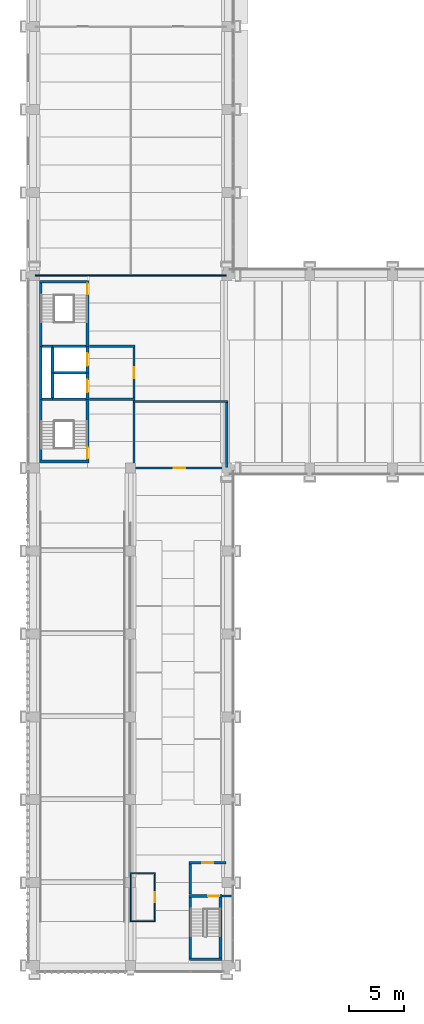
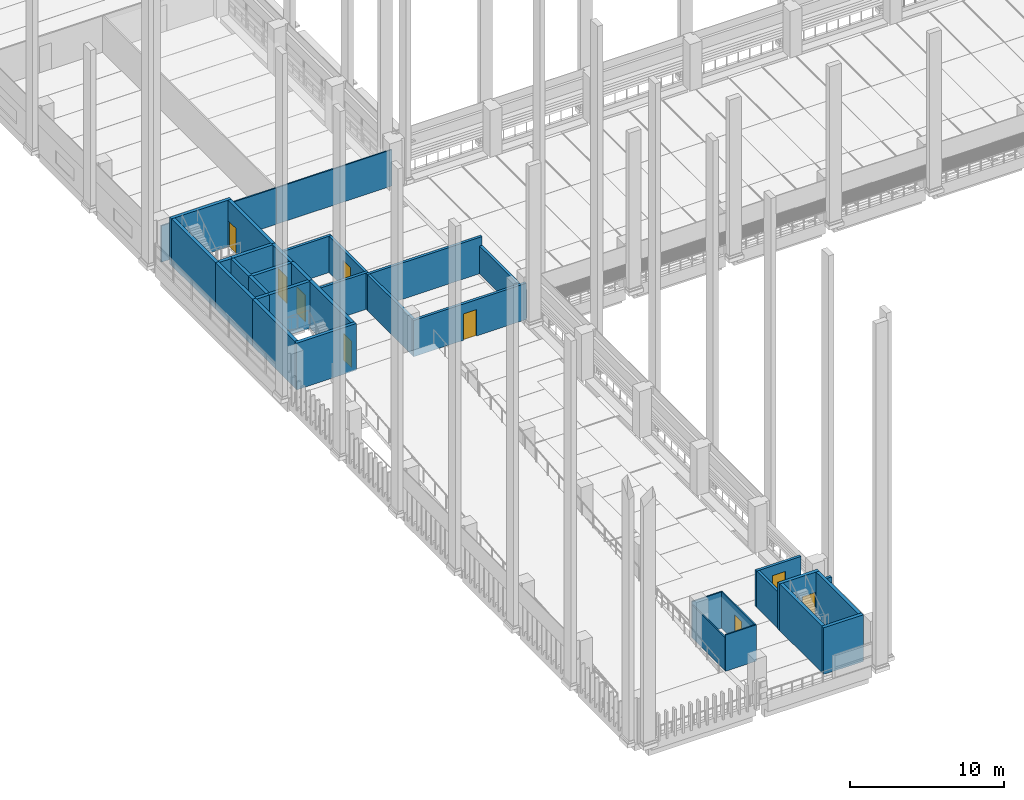
# One storey, part 35 of 67: 36 walls, 9 doors, 9 openings.
"""IFC4 building model written with IfcOpenShell, lengths in metres."""

from ifc_helpers import new_model, si_unit, direction, frame, frame_2d, origin, place, context, subcontext, project, spatial, rectangle, extrude, material, layer, layer_set, type_object, element, fill, save


model = new_model("IFC4")

# Units and contexts
model_context = context("Model", 3, precision=1e-05, world=origin(), true_north=direction((0.0, 1.0)))
body_context = subcontext(model_context, "Body", "Model", "MODEL_VIEW")
ifc_project = project(units=[si_unit("LENGTHUNIT", "METRE"), si_unit("AREAUNIT", "SQUARE_METRE"), si_unit("VOLUMEUNIT", "CUBIC_METRE"), si_unit("PLANEANGLEUNIT", "RADIAN"), si_unit("MASSUNIT", "GRAM", prefix="KILO")], contexts=[model_context])

# Site, building, storey
site_placement = place(None, origin())
site = spatial("IfcSite", under=ifc_project, at=site_placement, CompositionType="ELEMENT")
building_placement = place(site_placement, origin())
building = spatial("IfcBuilding", under=site, at=building_placement, Name="Cour d'Honneur Mobility Palace", CompositionType="ELEMENT")
storey_placement = place(building_placement, frame((0.0, 0.0, 4.5)))
storey = spatial("IfcBuildingStorey", under=building, at=storey_placement, Name="L01", CompositionType="ELEMENT", Elevation=4.5)

# Walls
ifc_material_1 = material(Name="Concrete C50", Category="concrete")
ifc_layer_1 = layer(ifc_material_1, 0.25)
ifc_layer_set_1 = layer_set([ifc_layer_1], Name="Concrete C50")
wall_type_1 = type_object("IfcWallType", Name="Lift shaft wall 250", PredefinedType="SHEAR", material=ifc_layer_set_1)
wall_1_placement = place(storey_placement, frame((1.77490234375, 53.60009765625, 0.0), z_axis=(0.0, 0.0, 1.0), x_axis=(1.0, 0.0, 0.0)))
element("IfcWall", 1, at=wall_1_placement, inside=storey, type_object=wall_type_1, Name="Lift shaft wall WL-CW4 L01", PredefinedType="SHEAR", context=body_context, shape_type="SweptSolid", body=[
    extrude(rectangle(XDim=2.900146484375, YDim=0.25, at=frame_2d((1.4501953125, 0.0))), origin(), (0.0, 0.0, 1.0), 3.699951171875),
])
wall_2_placement = place(storey_placement, frame((1.64990234375, 51.324951171875, 0.0), z_axis=(0.0, 0.0, 1.0), x_axis=(0.0, 1.0, 0.0)))
element("IfcWall", 2, at=wall_2_placement, inside=storey, type_object=wall_type_1, Name="Lift shaft wall WL-CW11 L01", PredefinedType="SHEAR", context=body_context, shape_type="SweptSolid", body=[
    extrude(rectangle(XDim=2.275146484375, YDim=0.25, at=frame_2d((1.1376953125, 0.0))), origin(), (0.0, 0.0, 1.0), 3.699951171875),
])
wall_3_placement = place(storey_placement, frame((1.64990234375, 53.60009765625, 0.0), z_axis=(0.0, 0.0, 1.0), x_axis=(0.0, 1.0, 0.0)))
element("IfcWall", 3, at=wall_3_placement, inside=storey, type_object=wall_type_1, Name="Lift shaft wall WL-CW12 L01", PredefinedType="SHEAR", context=body_context, shape_type="SweptSolid", body=[
    extrude(rectangle(XDim=2.27490234375, YDim=0.25, at=frame_2d((1.137451171875, 0.0))), origin(), (0.0, 0.0, 1.0), 3.699951171875),
])

# Wall, opening, door
wall_4_placement = place(storey_placement, frame((4.800048828125, 51.199951171875, 0.0), z_axis=(0.0, 0.0, 1.0), x_axis=(0.0, 1.0, 0.0)))
wall_4 = element("IfcWall", 4, at=wall_4_placement, inside=storey, type_object=wall_type_1, Name="Lift shaft wall WL-CW14 L01", PredefinedType="SHEAR", context=body_context, shape_type="SweptSolid", body=[
    extrude(rectangle(XDim=2.400146484375, YDim=0.25, at=frame_2d((1.2001953125, 0.0))), origin(), (0.0, 0.0, 1.0), 3.699951171875),
])
opening_1_placement = place(wall_4_placement, frame((0.64990234375, 0.0, 0.0)))
opening_1 = element("IfcOpeningElement", 5, at=opening_1_placement, cuts=wall_4, Name="Opening LD2", PredefinedType="OPENING", context=body_context, shape_type="SweptSolid", body=[
    extrude(rectangle(XDim=1.10009765625, YDim=2.10009765625, at=frame_2d((0.550048828125, 1.050048828125))), frame((0.0, 0.135009765625, 0.0), z_axis=(0.0, -1.0, 0.0), x_axis=(1.0, 0.0, 0.0)), (0.0, 0.0, 1.0), 0.27001953125),
])
ifc_material_2 = material(Name="Stainless steel", Category="steel")
door_type_1 = type_object("IfcDoorType", Name="Landing door 1100 x 2100", OperationType="SLIDING_TO_LEFT", PredefinedType="DOOR", material=ifc_material_2)
door_1_placement = place(opening_1_placement, origin())
door_1 = element("IfcDoor", 6, at=door_1_placement, inside=storey, type_object=door_type_1, Name="Landing door LF-CW1 L01", OperationType="SLIDING_TO_LEFT", OverallHeight=2.10009765625, OverallWidth=1.10009765625, PredefinedType="DOOR", context=body_context, shape_type="SweptSolid", body=[
    extrude(rectangle(XDim=1.10009765625, YDim=2.10009765625, at=frame_2d((0.550048828125, 1.050048828125))), frame((0.0, 0.02490234375, 0.0), z_axis=(0.0, -1.0, 0.0), x_axis=(1.0, 0.0, 0.0)), (0.0, 0.0, 1.0), 0.050048828125),
])
fill(opening_1, door_1)

wall_5_placement = place(storey_placement, frame((4.800048828125, 53.60009765625, 0.0), z_axis=(0.0, 0.0, 1.0), x_axis=(0.0, 1.0, 0.0)))
wall_5 = element("IfcWall", 7, at=wall_5_placement, inside=storey, type_object=wall_type_1, Name="Lift shaft wall WL-CW15 L01", PredefinedType="SHEAR", context=body_context, shape_type="SweptSolid", body=[
    extrude(rectangle(XDim=2.39990234375, YDim=0.25, at=frame_2d((1.199951171875, 0.0))), origin(), (0.0, 0.0, 1.0), 3.699951171875),
])
opening_2_placement = place(wall_5_placement, frame((0.64990234375, 0.0, 0.0)))
opening_2 = element("IfcOpeningElement", 8, at=opening_2_placement, cuts=wall_5, Name="Opening LD12", PredefinedType="OPENING", context=body_context, shape_type="SweptSolid", body=[
    extrude(rectangle(XDim=1.10009765625, YDim=2.10009765625, at=frame_2d((0.550048828125, 1.050048828125))), frame((0.0, 0.135009765625, 0.0), z_axis=(0.0, -1.0, 0.0), x_axis=(1.0, 0.0, 0.0)), (0.0, 0.0, 1.0), 0.27001953125),
])
door_2_placement = place(opening_2_placement, origin())
door_2 = element("IfcDoor", 9, at=door_2_placement, inside=storey, type_object=door_type_1, Name="Landing door LF-CW2 L01", OperationType="SLIDING_TO_LEFT", OverallHeight=2.10009765625, OverallWidth=1.10009765625, PredefinedType="DOOR", context=body_context, shape_type="SweptSolid", body=[
    extrude(rectangle(XDim=1.10009765625, YDim=2.10009765625, at=frame_2d((0.550048828125, 1.050048828125))), frame((0.0, 0.02490234375, 0.0), z_axis=(0.0, -1.0, 0.0), x_axis=(1.0, 0.0, 0.0)), (0.0, 0.0, 1.0), 0.050048828125),
])
fill(opening_2, door_2)

# Wall
ifc_material_3 = material(Name="Gypsum plasterboard")
ifc_layer_2 = layer(ifc_material_3, 0.10009765625)
ifc_layer_set_2 = layer_set([ifc_layer_2], Name="Gypsum plasterboard")
wall_type_2 = type_object("IfcWallType", Name="Partition 100", PredefinedType="PARTITIONING", material=ifc_layer_set_2)
wall_6_placement = place(storey_placement, frame((8.64990234375, 4.0, 0.0), z_axis=(0.0, 0.0, 1.0), x_axis=(1.0, 0.0, 0.0)))
element("IfcWall", 10, at=wall_6_placement, inside=storey, type_object=wall_type_2, Name="Partition 001", PredefinedType="PARTITIONING", context=body_context, shape_type="SweptSolid", body=[
    extrude(rectangle(XDim=2.300048828125, YDim=0.10009765625, at=frame_2d((1.14990234375, 0.0))), origin(), (0.0, 0.0, 1.0), 2.8798828125),
])

# Wall, opening, door
wall_7_placement = place(storey_placement, frame((10.89990234375, 4.050048828125, 0.0), z_axis=(0.0, 0.0, 1.0), x_axis=(0.0, 1.0, 0.0)))
wall_7 = element("IfcWall", 11, at=wall_7_placement, inside=storey, type_object=wall_type_2, Name="Partition 002", PredefinedType="PARTITIONING", context=body_context, shape_type="SweptSolid", body=[
    extrude(rectangle(XDim=4.25, YDim=0.10009765625, at=frame_2d((2.125, 0.0))), origin(), (0.0, 0.0, 1.0), 2.8798828125),
])
opening_3_placement = place(wall_7_placement, frame((1.675048828125, 0.0, 0.0)))
opening_3 = element("IfcOpeningElement", 12, at=opening_3_placement, cuts=wall_7, Name="Opening D0109", PredefinedType="OPENING", context=body_context, shape_type="SweptSolid", body=[
    extrude(rectangle(XDim=0.89990234375, YDim=2.10009765625, at=frame_2d((0.449951171875, 1.050048828125))), frame((0.0, 0.06005859375, 0.0), z_axis=(0.0, -1.0, 0.0), x_axis=(1.0, 0.0, 0.0)), (0.0, 0.0, 1.0), 0.1201171875),
])
ifc_material_4 = material(Name="Solid timber", Category="wood")
door_type_2 = type_object("IfcDoorType", Name="Single door 900 x 2100", OperationType="SINGLE_SWING_LEFT", PredefinedType="DOOR", material=ifc_material_4)
door_3_placement = place(opening_3_placement, origin())
door_3 = element("IfcDoor", 13, at=door_3_placement, inside=storey, type_object=door_type_2, Name="Door Attendant Room West", OperationType="SINGLE_SWING_LEFT", OverallHeight=2.10009765625, OverallWidth=0.89990234375, PredefinedType="DOOR", context=body_context, shape_type="SweptSolid", body=[
    extrude(rectangle(XDim=0.89990234375, YDim=2.10009765625, at=frame_2d((0.449951171875, 1.050048828125))), frame((0.0, 0.02490234375, 0.0), z_axis=(0.0, -1.0, 0.0), x_axis=(1.0, 0.0, 0.0)), (0.0, 0.0, 1.0), 0.050048828125),
])
fill(opening_3, door_3)

# Walls
wall_8_placement = place(storey_placement, frame((10.949951171875, 8.35009765625, 0.0), z_axis=(0.0, 0.0, 1.0), x_axis=(-1.0, 0.0, 0.0)))
element("IfcWall", 14, at=wall_8_placement, inside=storey, type_object=wall_type_2, Name="Partition 009", PredefinedType="PARTITIONING", context=body_context, shape_type="SweptSolid", body=[
    extrude(rectangle(XDim=2.300048828125, YDim=0.10009765625, at=frame_2d((1.14990234375, 0.0))), origin(), (0.0, 0.0, 1.0), 2.8798828125),
])
wall_9_placement = place(storey_placement, frame((0.06005859375, 62.39990234375, 0.0), z_axis=(0.0, 0.0, 1.0), x_axis=(1.0, 0.0, 0.0)))
element("IfcWall", 15, at=wall_9_placement, inside=storey, type_object=wall_type_2, Name="Partition 040", PredefinedType="PARTITIONING", context=body_context, shape_type="SweptSolid", body=[
    extrude(rectangle(XDim=8.639892578125, YDim=0.10009765625, at=frame_2d((4.31982421875, 0.0))), origin(), (0.0, 0.0, 1.0), 2.8798828125),
])
wall_10_placement = place(storey_placement, frame((8.699951171875, 62.39990234375, 0.0), z_axis=(0.0, 0.0, 1.0), x_axis=(1.0, 0.0, 0.0)))
element("IfcWall", 16, at=wall_10_placement, inside=storey, type_object=wall_type_2, Name="Partition 041", PredefinedType="PARTITIONING", context=body_context, shape_type="SweptSolid", body=[
    extrude(rectangle(XDim=8.64013671875, YDim=0.10009765625, at=frame_2d((4.320068359375, 0.0))), origin(), (0.0, 0.0, 1.0), 2.8798828125),
])
ifc_material_5 = material(Name="Gypsum plasterboard")
ifc_layer_3 = layer(ifc_material_5, 0.10009765625)
ifc_layer_set_3 = layer_set([ifc_layer_3], Name="Gypsum plasterboard")
wall_type_3 = type_object("IfcWallType", Name="Partition 100 under beam 1100", PredefinedType="PARTITIONING", material=ifc_layer_set_3)
wall_11_placement = place(storey_placement, frame((8.699951171875, 8.300048828125, 0.0), z_axis=(0.0, 0.0, 1.0), x_axis=(0.0, -1.0, 0.0)))
element("IfcWall", 17, at=wall_11_placement, inside=storey, type_object=wall_type_3, Name="Partition 008", PredefinedType="PARTITIONING", context=body_context, shape_type="SweptSolid", body=[
    extrude(rectangle(XDim=4.25, YDim=0.10009765625, at=frame_2d((2.125, 0.0))), origin(), (0.0, 0.0, 1.0), 2.60009765625),
])
ifc_material_6 = material(Name="Gypsum plasterboard")
ifc_layer_4 = layer(ifc_material_6, 0.199951171875)
ifc_layer_set_4 = layer_set([ifc_layer_4], Name="Gypsum plasterboard")
wall_type_4 = type_object("IfcWallType", Name="Partition 200 rated EI 120", PredefinedType="PARTITIONING", material=ifc_layer_set_4)
wall_12_placement = place(storey_placement, frame((16.949951171875, 6.300048828125, 0.0), z_axis=(0.0, 0.0, 1.0), x_axis=(1.0, 0.0, 0.0)))
element("IfcWall", 18, at=wall_12_placement, inside=storey, type_object=wall_type_4, Name="Partition 005", PredefinedType="PARTITIONING", context=body_context, shape_type="SweptSolid", body=[
    extrude(rectangle(XDim=0.949951171875, YDim=0.199951171875, at=frame_2d((0.47509765625, 0.0))), origin(), (0.0, 0.0, 1.0), 2.8798828125),
])
wall_13_placement = place(storey_placement, frame((14.10009765625, 9.199951171875, 0.0), z_axis=(0.0, 0.0, 1.0), x_axis=(0.0, -1.0, 0.0)))
element("IfcWall", 19, at=wall_13_placement, inside=storey, type_object=wall_type_4, Name="Partition 012", PredefinedType="PARTITIONING", context=body_context, shape_type="SweptSolid", body=[
    extrude(rectangle(XDim=2.724853515625, YDim=0.199951171875, at=frame_2d((1.3623046875, 0.0))), origin(), (0.0, 0.0, 1.0), 2.8798828125),
])

# Wall, opening, door
wall_14_placement = place(storey_placement, frame((17.340087890625, 9.300048828125, 0.0), z_axis=(0.0, 0.0, 1.0), x_axis=(-1.0, 0.0, 0.0)))
wall_14 = element("IfcWall", 20, at=wall_14_placement, inside=storey, type_object=wall_type_4, Name="Partition 013", PredefinedType="PARTITIONING", context=body_context, shape_type="SweptSolid", body=[
    extrude(rectangle(XDim=3.340087890625, YDim=0.199951171875, at=frame_2d((1.669921875, 0.0))), origin(), (0.0, 0.0, 1.0), 2.8798828125),
])
opening_4_placement = place(wall_14_placement, frame((1.169921875, 0.0, 0.0)))
opening_4 = element("IfcOpeningElement", 21, at=opening_4_placement, cuts=wall_14, Name="Opening D0107", PredefinedType="OPENING", context=body_context, shape_type="SweptSolid", body=[
    extrude(rectangle(XDim=1.0, YDim=2.10009765625, at=frame_2d((0.5, 1.050048828125))), frame((0.0, 0.10986328125, 0.0), z_axis=(0.0, -1.0, 0.0), x_axis=(1.0, 0.0, 0.0)), (0.0, 0.0, 1.0), 0.219970703125),
])
ifc_material_7 = material(Name="Galvanised steel", Category="steel")
door_type_3 = type_object("IfcDoorType", Name="Fire door FD120 1000 x 2100", OperationType="SINGLE_SWING_LEFT", PredefinedType="DOOR", material=ifc_material_7)
door_4_placement = place(opening_4_placement, origin())
door_4 = element("IfcDoor", 22, at=door_4_placement, inside=storey, type_object=door_type_3, Name="Door Stair Lobby RW", OperationType="SINGLE_SWING_LEFT", OverallHeight=2.10009765625, OverallWidth=1.0, PredefinedType="DOOR", context=body_context, shape_type="SweptSolid", body=[
    extrude(rectangle(XDim=1.0, YDim=2.10009765625, at=frame_2d((0.5, 1.050048828125))), frame((0.0, 0.02490234375, 0.0), z_axis=(0.0, -1.0, 0.0), x_axis=(1.0, 0.0, 0.0)), (0.0, 0.0, 1.0), 0.050048828125),
])
fill(opening_4, door_4)

wall_15_placement = place(storey_placement, frame((8.89990234375, 45.0, 0.0), z_axis=(0.0, 0.0, 1.0), x_axis=(1.0, 0.0, 0.0)))
wall_15 = element("IfcWall", 23, at=wall_15_placement, inside=storey, type_object=wall_type_4, Name="Partition 015", PredefinedType="PARTITIONING", context=body_context, shape_type="SweptSolid", body=[
    extrude(rectangle(XDim=8.440185546875, YDim=0.199951171875, at=frame_2d((4.22021484375, 0.0))), origin(), (0.0, 0.0, 1.0), 2.8798828125),
])
opening_5_placement = place(wall_15_placement, frame((3.719970703125, 0.0, 0.0)))
opening_5 = element("IfcOpeningElement", 24, at=opening_5_placement, cuts=wall_15, Name="Opening D0111", PredefinedType="OPENING", context=body_context, shape_type="SweptSolid", body=[
    extrude(rectangle(XDim=1.0, YDim=2.10009765625, at=frame_2d((0.5, 1.050048828125))), frame((0.0, 0.10986328125, 0.0), z_axis=(0.0, -1.0, 0.0), x_axis=(1.0, 0.0, 0.0)), (0.0, 0.0, 1.0), 0.219970703125),
])
door_5_placement = place(opening_5_placement, origin())
door_5 = element("IfcDoor", 25, at=door_5_placement, inside=storey, type_object=door_type_3, Name="Door EV Switch Room West", OperationType="SINGLE_SWING_RIGHT", OverallHeight=2.10009765625, OverallWidth=1.0, PredefinedType="DOOR", context=body_context, shape_type="SweptSolid", body=[
    extrude(rectangle(XDim=1.0, YDim=2.10009765625, at=frame_2d((0.5, 1.050048828125))), frame((0.0, 0.02490234375, 0.0), z_axis=(0.0, -1.0, 0.0), x_axis=(1.0, 0.0, 0.0)), (0.0, 0.0, 1.0), 0.050048828125),
])
fill(opening_5, door_5)

# Walls
wall_16_placement = place(storey_placement, frame((9.0, 50.89990234375, 0.0), z_axis=(0.0, 0.0, 1.0), x_axis=(0.0, -1.0, 0.0)))
element("IfcWall", 26, at=wall_16_placement, inside=storey, type_object=wall_type_4, Name="Partition 024", PredefinedType="PARTITIONING", context=body_context, shape_type="SweptSolid", body=[
    extrude(rectangle(XDim=5.7998046875, YDim=0.199951171875, at=frame_2d((2.89990234375, 0.0))), origin(), (0.0, 0.0, 1.0), 2.8798828125),
])
wall_17_placement = place(storey_placement, frame((17.5, 51.0, 0.0), z_axis=(0.0, 0.0, 1.0), x_axis=(-1.0, 0.0, 0.0)))
element("IfcWall", 27, at=wall_17_placement, inside=storey, type_object=wall_type_4, Name="Partition 025", PredefinedType="PARTITIONING", context=body_context, shape_type="SweptSolid", body=[
    extrude(rectangle(XDim=8.60009765625, YDim=0.199951171875, at=frame_2d((4.300048828125, 0.0))), origin(), (0.0, 0.0, 1.0), 2.8798828125),
])
wall_18_placement = place(storey_placement, frame((4.97509765625, 51.199951171875, 0.0), z_axis=(0.0, 0.0, 1.0), x_axis=(1.0, 0.0, 0.0)))
element("IfcWall", 28, at=wall_18_placement, inside=storey, type_object=wall_type_4, Name="Partition 028", PredefinedType="PARTITIONING", context=body_context, shape_type="SweptSolid", body=[
    extrude(rectangle(XDim=4.125, YDim=0.199951171875, at=frame_2d((2.0625, 0.0))), origin(), (0.0, 0.0, 1.0), 2.8798828125),
])

# Wall, opening, door
wall_19_placement = place(storey_placement, frame((9.0, 51.300048828125, 0.0), z_axis=(0.0, 0.0, 1.0), x_axis=(0.0, 1.0, 0.0)))
wall_19 = element("IfcWall", 29, at=wall_19_placement, inside=storey, type_object=wall_type_4, Name="Partition 029", PredefinedType="PARTITIONING", context=body_context, shape_type="SweptSolid", body=[
    extrude(rectangle(XDim=4.599853515625, YDim=0.199951171875, at=frame_2d((2.2998046875, 0.0))), origin(), (0.0, 0.0, 1.0), 2.8798828125),
])
opening_6_placement = place(wall_19_placement, frame((1.800048828125, 0.0, 0.0)))
opening_6 = element("IfcOpeningElement", 30, at=opening_6_placement, cuts=wall_19, Name="Opening D0101", PredefinedType="OPENING", context=body_context, shape_type="SweptSolid", body=[
    extrude(rectangle(XDim=1.0, YDim=2.10009765625, at=frame_2d((0.5, 1.050048828125))), frame((0.0, 0.10986328125, 0.0), z_axis=(0.0, -1.0, 0.0), x_axis=(1.0, 0.0, 0.0)), (0.0, 0.0, 1.0), 0.219970703125),
])
door_6_placement = place(opening_6_placement, origin())
door_6 = element("IfcDoor", 31, at=door_6_placement, inside=storey, type_object=door_type_3, Name="Door Firefighting Lobby CW", OperationType="SINGLE_SWING_RIGHT", OverallHeight=2.10009765625, OverallWidth=1.0, PredefinedType="DOOR", context=body_context, shape_type="SweptSolid", body=[
    extrude(rectangle(XDim=1.0, YDim=2.10009765625, at=frame_2d((0.5, 1.050048828125))), frame((0.0, 0.02490234375, 0.0), z_axis=(0.0, -1.0, 0.0), x_axis=(1.0, 0.0, 0.0)), (0.0, 0.0, 1.0), 0.050048828125),
])
fill(opening_6, door_6)

# Walls
wall_20_placement = place(storey_placement, frame((9.10009765625, 56.0, 0.0), z_axis=(0.0, 0.0, 1.0), x_axis=(-1.0, 0.0, 0.0)))
element("IfcWall", 32, at=wall_20_placement, inside=storey, type_object=wall_type_4, Name="Partition 037", PredefinedType="PARTITIONING", context=body_context, shape_type="SweptSolid", body=[
    extrude(rectangle(XDim=4.125, YDim=0.199951171875, at=frame_2d((2.0625, 0.0))), origin(), (0.0, 0.0, 1.0), 2.8798828125),
])
ifc_material_8 = material(Name="Gypsum plasterboard")
ifc_layer_5 = layer(ifc_material_8, 0.199951171875)
ifc_layer_set_5 = layer_set([ifc_layer_5], Name="Gypsum plasterboard")
wall_type_5 = type_object("IfcWallType", Name="Partition 200 rated EI 120 under beam 1500", PredefinedType="PARTITIONING", material=ifc_layer_set_5)
wall_21_placement = place(storey_placement, frame((17.39990234375, 45.06005859375, 0.0), z_axis=(0.0, 0.0, 1.0), x_axis=(0.0, 1.0, 0.0)))
element("IfcWall", 33, at=wall_21_placement, inside=storey, type_object=wall_type_5, Name="Partition 018", PredefinedType="PARTITIONING", context=body_context, shape_type="SweptSolid", body=[
    extrude(rectangle(XDim=5.83984375, YDim=0.199951171875, at=frame_2d((2.919921875, 0.0))), origin(), (0.0, 0.0, 1.0), 2.199951171875),
])
ifc_material_9 = material(Name="Concrete C50", Category="concrete")
ifc_layer_6 = layer(ifc_material_9, 0.25)
ifc_layer_set_6 = layer_set([ifc_layer_6], Name="Concrete C50")
wall_type_6 = type_object("IfcWallType", Name="Shaft wall 250", PredefinedType="SHEAR", material=ifc_layer_set_6)
wall_22_placement = place(storey_placement, frame((0.574951171875, 51.199951171875, 0.0), z_axis=(0.0, 0.0, 1.0), x_axis=(0.0, 1.0, 0.0)))
element("IfcWall", 34, at=wall_22_placement, inside=storey, type_object=wall_type_6, Name="Shaft wall WR-CW9 L01", PredefinedType="SHEAR", context=body_context, shape_type="SweptSolid", body=[
    extrude(rectangle(XDim=4.800048828125, YDim=0.25, at=frame_2d((2.39990234375, 0.0))), origin(), (0.0, 0.0, 1.0), 3.699951171875),
])
ifc_material_10 = material(Name="Concrete C50", Category="concrete")
ifc_layer_7 = layer(ifc_material_10, 0.25)
ifc_layer_set_7 = layer_set([ifc_layer_7], Name="Concrete C50")
wall_type_7 = type_object("IfcWallType", Name="Stair wall 250", PredefinedType="SHEAR", material=ifc_layer_set_7)
wall_23_placement = place(storey_placement, frame((0.449951171875, 45.574951171875, 0.0), z_axis=(0.0, 0.0, 1.0), x_axis=(1.0, 0.0, 0.0)))
element("IfcWall", 35, at=wall_23_placement, inside=storey, type_object=wall_type_7, Name="Stair wall WS-CW1 L01", PredefinedType="SHEAR", context=body_context, shape_type="SweptSolid", body=[
    extrude(rectangle(XDim=4.47509765625, YDim=0.25, at=frame_2d((2.237548828125, 0.0))), origin(), (0.0, 0.0, 1.0), 3.699951171875),
])
wall_24_placement = place(storey_placement, frame((0.699951171875, 51.199951171875, 0.0), z_axis=(0.0, 0.0, 1.0), x_axis=(1.0, 0.0, 0.0)))
element("IfcWall", 36, at=wall_24_placement, inside=storey, type_object=wall_type_7, Name="Stair wall WS-CW2 L01", PredefinedType="SHEAR", context=body_context, shape_type="SweptSolid", body=[
    extrude(rectangle(XDim=0.949951171875, YDim=0.25, at=frame_2d((0.47509765625, 0.0))), origin(), (0.0, 0.0, 1.0), 3.699951171875),
])
wall_25_placement = place(storey_placement, frame((1.64990234375, 51.199951171875, 0.0), z_axis=(0.0, 0.0, 1.0), x_axis=(1.0, 0.0, 0.0)))
element("IfcWall", 37, at=wall_25_placement, inside=storey, type_object=wall_type_7, Name="Stair wall WS-CW3 L01", PredefinedType="SHEAR", context=body_context, shape_type="SweptSolid", body=[
    extrude(rectangle(XDim=3.025146484375, YDim=0.25, at=frame_2d((1.5126953125, 0.0))), origin(), (0.0, 0.0, 1.0), 3.699951171875),
])
wall_26_placement = place(storey_placement, frame((0.699951171875, 56.0, 0.0), z_axis=(0.0, 0.0, 1.0), x_axis=(1.0, 0.0, 0.0)))
element("IfcWall", 38, at=wall_26_placement, inside=storey, type_object=wall_type_7, Name="Stair wall WS-CW5 L01", PredefinedType="SHEAR", context=body_context, shape_type="SweptSolid", body=[
    extrude(rectangle(XDim=0.949951171875, YDim=0.25, at=frame_2d((0.47509765625, 0.0))), origin(), (0.0, 0.0, 1.0), 3.699951171875),
])
wall_27_placement = place(storey_placement, frame((1.64990234375, 56.0, 0.0), z_axis=(0.0, 0.0, 1.0), x_axis=(1.0, 0.0, 0.0)))
element("IfcWall", 39, at=wall_27_placement, inside=storey, type_object=wall_type_7, Name="Stair wall WS-CW6 L01", PredefinedType="SHEAR", context=body_context, shape_type="SweptSolid", body=[
    extrude(rectangle(XDim=3.025146484375, YDim=0.25, at=frame_2d((1.5126953125, 0.0))), origin(), (0.0, 0.0, 1.0), 3.699951171875),
])
wall_28_placement = place(storey_placement, frame((0.449951171875, 61.824951171875, 0.0), z_axis=(0.0, 0.0, 1.0), x_axis=(1.0, 0.0, 0.0)))
element("IfcWall", 40, at=wall_28_placement, inside=storey, type_object=wall_type_7, Name="Stair wall WS-CW7 L01", PredefinedType="SHEAR", context=body_context, shape_type="SweptSolid", body=[
    extrude(rectangle(XDim=4.47509765625, YDim=0.25, at=frame_2d((2.237548828125, 0.0))), origin(), (0.0, 0.0, 1.0), 3.699951171875),
])
wall_29_placement = place(storey_placement, frame((0.574951171875, 45.699951171875, 0.0), z_axis=(0.0, 0.0, 1.0), x_axis=(0.0, 1.0, 0.0)))
element("IfcWall", 41, at=wall_29_placement, inside=storey, type_object=wall_type_7, Name="Stair wall WS-CW8 L01", PredefinedType="SHEAR", context=body_context, shape_type="SweptSolid", body=[
    extrude(rectangle(XDim=5.5, YDim=0.25, at=frame_2d((2.75, 0.0))), origin(), (0.0, 0.0, 1.0), 3.699951171875),
])
wall_30_placement = place(storey_placement, frame((0.574951171875, 56.0, 0.0), z_axis=(0.0, 0.0, 1.0), x_axis=(0.0, 1.0, 0.0)))
element("IfcWall", 42, at=wall_30_placement, inside=storey, type_object=wall_type_7, Name="Stair wall WS-CW10 L01", PredefinedType="SHEAR", context=body_context, shape_type="SweptSolid", body=[
    extrude(rectangle(XDim=5.699951171875, YDim=0.25, at=frame_2d((2.85009765625, 0.0))), origin(), (0.0, 0.0, 1.0), 3.699951171875),
])

# Wall, opening, door
wall_31_placement = place(storey_placement, frame((4.800048828125, 45.699951171875, 0.0), z_axis=(0.0, 0.0, 1.0), x_axis=(0.0, 1.0, 0.0)))
wall_31 = element("IfcWall", 43, at=wall_31_placement, inside=storey, type_object=wall_type_7, Name="Stair wall WS-CW13 L01", PredefinedType="SHEAR", context=body_context, shape_type="SweptSolid", body=[
    extrude(rectangle(XDim=5.5, YDim=0.25, at=frame_2d((2.75, 0.0))), origin(), (0.0, 0.0, 1.0), 3.699951171875),
])
opening_7_placement = place(wall_31_placement, frame((0.14990234375, 0.0, 0.0)))
opening_7 = element("IfcOpeningElement", 44, at=opening_7_placement, cuts=wall_31, Name="Opening S130", PredefinedType="OPENING", context=body_context, shape_type="SweptSolid", body=[
    extrude(rectangle(XDim=1.0, YDim=2.10009765625, at=frame_2d((0.5, 1.050048828125))), frame((0.0, 0.135009765625, 0.0), z_axis=(0.0, -1.0, 0.0), x_axis=(1.0, 0.0, 0.0)), (0.0, 0.0, 1.0), 0.27001953125),
])
ifc_material_11 = material(Name="Galvanised steel", Category="steel")
door_type_4 = type_object("IfcDoorType", Name="Fire door FD120 stair 1000 x 2100", OperationType="SINGLE_SWING_LEFT", PredefinedType="DOOR", material=ifc_material_11)
door_7_placement = place(opening_7_placement, origin())
door_7 = element("IfcDoor", 45, at=door_7_placement, inside=storey, type_object=door_type_4, Name="Stair door ST-CW1 L01", OperationType="SINGLE_SWING_RIGHT", OverallHeight=2.10009765625, OverallWidth=1.0, PredefinedType="DOOR", context=body_context, shape_type="SweptSolid", body=[
    extrude(rectangle(XDim=1.0, YDim=2.10009765625, at=frame_2d((0.5, 1.050048828125))), frame((0.0, 0.02490234375, 0.0), z_axis=(0.0, -1.0, 0.0), x_axis=(1.0, 0.0, 0.0)), (0.0, 0.0, 1.0), 0.050048828125),
])
fill(opening_7, door_7)

wall_32_placement = place(storey_placement, frame((4.800048828125, 56.0, 0.0), z_axis=(0.0, 0.0, 1.0), x_axis=(0.0, 1.0, 0.0)))
wall_32 = element("IfcWall", 46, at=wall_32_placement, inside=storey, type_object=wall_type_7, Name="Stair wall WS-CW16 L01", PredefinedType="SHEAR", context=body_context, shape_type="SweptSolid", body=[
    extrude(rectangle(XDim=5.699951171875, YDim=0.25, at=frame_2d((2.85009765625, 0.0))), origin(), (0.0, 0.0, 1.0), 3.699951171875),
])
opening_8_placement = place(wall_32_placement, frame((4.675048828125, 0.0, 0.0)))
opening_8 = element("IfcOpeningElement", 47, at=opening_8_placement, cuts=wall_32, Name="Opening S66", PredefinedType="OPENING", context=body_context, shape_type="SweptSolid", body=[
    extrude(rectangle(XDim=1.0, YDim=2.10009765625, at=frame_2d((0.5, 1.050048828125))), frame((0.0, 0.135009765625, 0.0), z_axis=(0.0, -1.0, 0.0), x_axis=(1.0, 0.0, 0.0)), (0.0, 0.0, 1.0), 0.27001953125),
])
door_8_placement = place(opening_8_placement, origin())
door_8 = element("IfcDoor", 48, at=door_8_placement, inside=storey, type_object=door_type_4, Name="Stair door ST-CW2 L01", OperationType="SINGLE_SWING_LEFT", OverallHeight=2.10009765625, OverallWidth=1.0, PredefinedType="DOOR", context=body_context, shape_type="SweptSolid", body=[
    extrude(rectangle(XDim=1.0, YDim=2.10009765625, at=frame_2d((0.5, 1.050048828125))), frame((0.0, 0.02490234375, 0.0), z_axis=(0.0, -1.0, 0.0), x_axis=(1.0, 0.0, 0.0)), (0.0, 0.0, 1.0), 0.050048828125),
])
fill(opening_8, door_8)

# Wall
wall_33_placement = place(storey_placement, frame((13.97509765625, 0.574951171875, 0.0), z_axis=(0.0, 0.0, 1.0), x_axis=(1.0, 0.0, 0.0)))
element("IfcWall", 49, at=wall_33_placement, inside=storey, type_object=wall_type_7, Name="Stair wall WS-RW1 L01", PredefinedType="SHEAR", context=body_context, shape_type="SweptSolid", body=[
    extrude(rectangle(XDim=2.974853515625, YDim=0.25, at=frame_2d((1.4873046875, 0.0))), origin(), (0.0, 0.0, 1.0), 3.699951171875),
])

# Wall, opening, door
wall_34_placement = place(storey_placement, frame((13.97509765625, 6.300048828125, 0.0), z_axis=(0.0, 0.0, 1.0), x_axis=(1.0, 0.0, 0.0)))
wall_34 = element("IfcWall", 50, at=wall_34_placement, inside=storey, type_object=wall_type_7, Name="Stair wall WS-RW2 L01", PredefinedType="SHEAR", context=body_context, shape_type="SweptSolid", body=[
    extrude(rectangle(XDim=2.974853515625, YDim=0.25, at=frame_2d((1.4873046875, 0.0))), origin(), (0.0, 0.0, 1.0), 3.699951171875),
])
opening_9_placement = place(wall_34_placement, frame((1.72509765625, 0.0, 0.0)))
opening_9 = element("IfcOpeningElement", 51, at=opening_9_placement, cuts=wall_34, Name="Opening S110", PredefinedType="OPENING", context=body_context, shape_type="SweptSolid", body=[
    extrude(rectangle(XDim=1.0, YDim=2.10009765625, at=frame_2d((0.5, 1.050048828125))), frame((0.0, 0.135009765625, 0.0), z_axis=(0.0, -1.0, 0.0), x_axis=(1.0, 0.0, 0.0)), (0.0, 0.0, 1.0), 0.27001953125),
])
door_9_placement = place(opening_9_placement, origin())
door_9 = element("IfcDoor", 52, at=door_9_placement, inside=storey, type_object=door_type_4, Name="Stair door ST-RW1 L01", OperationType="SINGLE_SWING_RIGHT", OverallHeight=2.10009765625, OverallWidth=1.0, PredefinedType="DOOR", context=body_context, shape_type="SweptSolid", body=[
    extrude(rectangle(XDim=1.0, YDim=2.10009765625, at=frame_2d((0.5, 1.050048828125))), frame((0.0, 0.02490234375, 0.0), z_axis=(0.0, -1.0, 0.0), x_axis=(1.0, 0.0, 0.0)), (0.0, 0.0, 1.0), 0.050048828125),
])
fill(opening_9, door_9)

# Walls
for number, where, z_axis, x_axis, name in (
    (53, (14.10009765625, 0.699951171875, 0.0), (0.0, 0.0, 1.0), (0.0, 1.0, 0.0), "Stair wall WS-RW3 L01"),
    (54, (16.824951171875, 0.699951171875, 0.0), (0.0, 0.0, 1.0), (0.0, 1.0, 0.0), "Stair wall WS-RW4 L01"),
):
    element("IfcWall", number, at=place(storey_placement, frame(where, z_axis=z_axis, x_axis=x_axis)), inside=storey, type_object=wall_type_7, Name=name, PredefinedType="SHEAR", context=body_context, shape_type="SweptSolid", body=[
        extrude(rectangle(XDim=5.47509765625, YDim=0.25, at=frame_2d((2.737548828125, 0.0))), origin(), (0.0, 0.0, 1.0), 3.699951171875),
    ])

save(model, "model.ifc")
